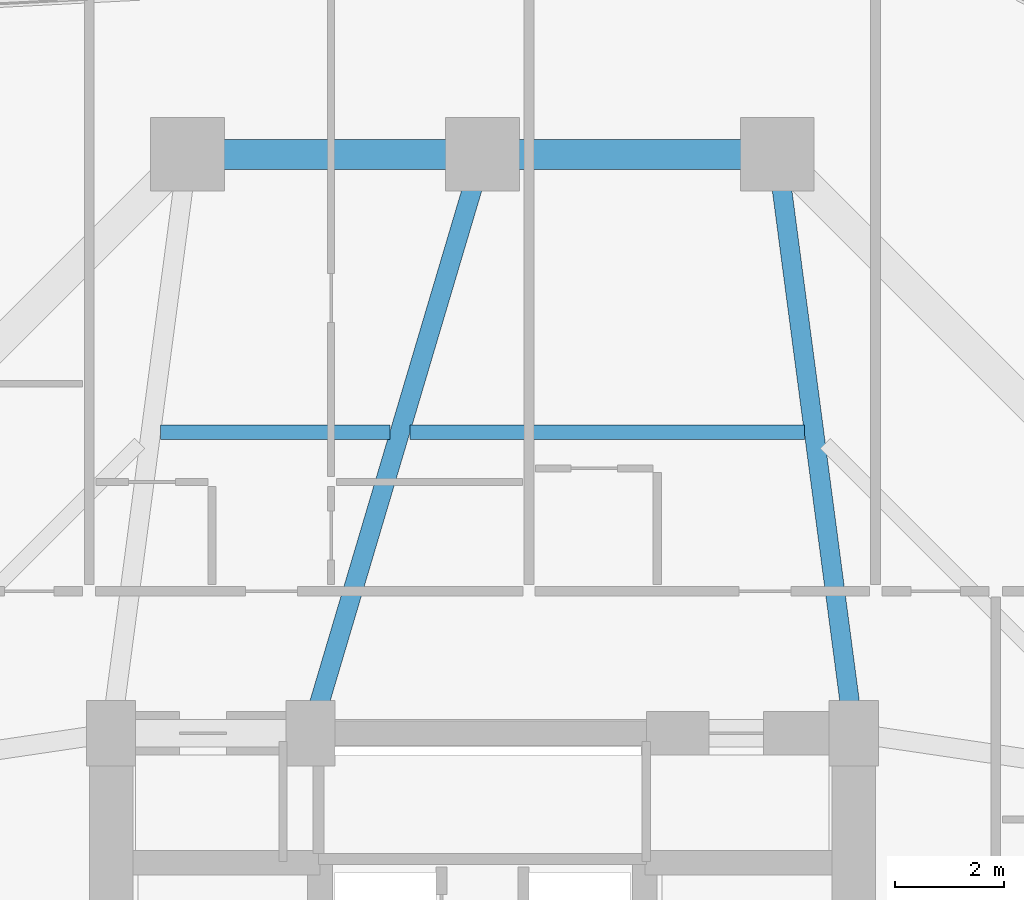
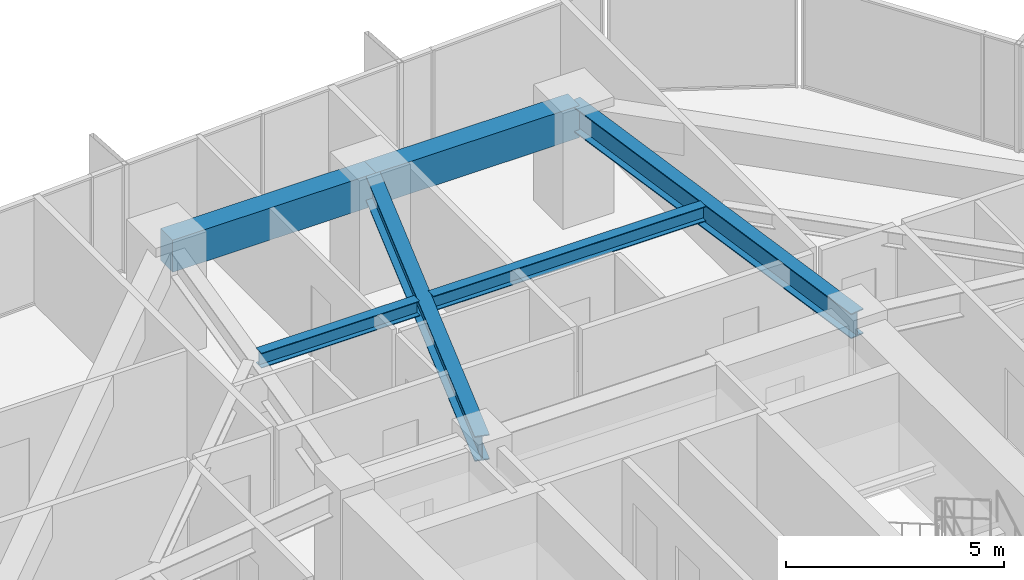
# One storey, part 24 of 37: 6 beams.
"""IFC4 building model written with IfcOpenShell, lengths in metres."""

from ifc_helpers import new_model, si_unit, direction, frame, origin, origin_2d, place, context, subcontext, project, spatial, rectangle, i_section, extrude, material, material_profile, profile_set, type_object, element, save


model = new_model("IFC4")

# Units and contexts
model_context = context("Model", 3, precision=1e-05, world=origin(), true_north=direction((0.0, 1.0)))
body_context = subcontext(model_context, "Body", "Model", "MODEL_VIEW")
ifc_project = project(units=[si_unit("LENGTHUNIT", "METRE"), si_unit("AREAUNIT", "SQUARE_METRE"), si_unit("VOLUMEUNIT", "CUBIC_METRE"), si_unit("PLANEANGLEUNIT", "RADIAN"), si_unit("MASSUNIT", "GRAM", prefix="KILO")], contexts=[model_context])

# Site, building, storey
site_placement = place(None, origin())
site = spatial("IfcSite", under=ifc_project, at=site_placement, CompositionType="ELEMENT")
building_placement = place(site_placement, origin())
building = spatial("IfcBuilding", under=site, at=building_placement, Name="Veraguas Prism Commons", CompositionType="ELEMENT")
storey_placement = place(building_placement, frame((0.0, 0.0, 33.800048828125)))
storey = spatial("IfcBuildingStorey", under=building, at=storey_placement, Name="L08", CompositionType="ELEMENT", Elevation=33.800048828125)

# Beams
ifc_material_1 = material(Name="Steel ASTM A992 Grade 50", Category="steel")
ifc_material_profile_1 = material_profile(ifc_material_1, i_section(OverallWidth=0.260986328125, OverallDepth=0.419921875, WebThickness=0.01171875, FlangeThickness=0.019287109375, at=origin_2d()), Name="W410X114")
ifc_profile_set_1 = profile_set([ifc_material_profile_1], Name="Steel ASTM A992 Grade 50")
beam_type_1 = type_object("IfcBeamType", Name="Lower Floor Joist W410x114", PredefinedType="JOIST", material=ifc_profile_set_1)
beam_1_placement = place(storey_placement, frame((29.89453125, 36.511962890625, 2.7900390625), z_axis=(-1.0, 0.0, 0.0), x_axis=(0.0, -1.0, 0.0)))
element("IfcBeam", 1, at=beam_1_placement, inside=storey, type_object=beam_type_1, Name="Composite Floor Joist L08-JS04", PredefinedType="JOIST", context=body_context, shape_type="SweptSolid", body=[
    extrude(i_section(OverallWidth=0.260986328125, OverallDepth=0.419921875, WebThickness=0.01171875, FlangeThickness=0.019287109375, at=origin_2d()), origin(), (0.0, 0.0, 1.0), 7.222900390625),
])
beam_2_placement = place(storey_placement, frame((22.304443359375, 36.511962890625, 2.7900390625), z_axis=(-1.0, 0.0, 0.0), x_axis=(0.0, -1.0, 0.0)))
element("IfcBeam", 2, at=beam_2_placement, inside=storey, type_object=beam_type_1, Name="Composite Floor Joist L08-JS05", PredefinedType="JOIST", context=body_context, shape_type="SweptSolid", body=[
    extrude(i_section(OverallWidth=0.260986328125, OverallDepth=0.419921875, WebThickness=0.01171875, FlangeThickness=0.019287109375, at=origin_2d()), origin(), (0.0, 0.0, 1.0), 4.198974609375),
])
ifc_material_2 = material(Name="Concrete C50/60", Category="concrete")
ifc_material_profile_2 = material_profile(ifc_material_2, rectangle(XDim=0.550048828125, YDim=0.89990234375, at=origin_2d()), Name="RC550X900")
ifc_profile_set_2 = profile_set([ifc_material_profile_2], Name="Concrete C50/60")
beam_type_2 = type_object("IfcBeamType", Name="Perimeter Spandrel Lower RC 550x900", PredefinedType="SPANDREL", material=ifc_profile_set_2)
for number, where, z_axis, x_axis, name in (
    (3, (29.39990234375, 41.60009765625, 2.550048828125), (-1.0, 0.0, 0.0), (0.0, -1.0, 0.0), "Perimeter Spandrel Beam L08-SP04"),
    (4, (24.0, 41.60009765625, 2.550048828125), (-1.0, 0.0, 0.0), (0.0, -1.0, 0.0), "Perimeter Spandrel Beam L08-SP05"),
):
    element("IfcBeam", number, at=place(storey_placement, frame(where, z_axis=z_axis, x_axis=x_axis)), inside=storey, type_object=beam_type_2, Name=name, PredefinedType="SPANDREL", context=body_context, shape_type="SweptSolid", body=[
        extrude(rectangle(XDim=0.550048828125, YDim=0.89990234375, at=origin_2d()), origin(), (0.0, 0.0, 1.0), 5.39990234375),
    ])
ifc_material_profile_3 = material_profile(ifc_material_1, i_section(OverallWidth=0.35595703125, OverallDepth=0.700927734375, WebThickness=0.016845703125, FlangeThickness=0.02734375, at=origin_2d()), Name="W690X240")
ifc_profile_set_3 = profile_set([ifc_material_profile_3], Name="Steel ASTM A992 Grade 50")
beam_type_3 = type_object("IfcBeamType", Name="Zone 1 Radial Girder W690x240", PredefinedType="BEAM", material=ifc_profile_set_3)
beam_3_placement = place(storey_placement, frame((29.39990234375, 41.60009765625, 2.6494140625), z_axis=(0.130950648891, -0.991388888154, 0.0), x_axis=(0.991388888154, 0.130950648891, 0.0)))
element("IfcBeam", 5, at=beam_3_placement, inside=storey, type_object=beam_type_3, Name="Radial Floor Girder L08-RD04", PredefinedType="BEAM", context=body_context, shape_type="SweptSolid", body=[
    extrude(i_section(OverallWidth=0.35595703125, OverallDepth=0.700927734375, WebThickness=0.016845703125, FlangeThickness=0.02734375, at=origin_2d()), origin(), (0.0, 0.0, 1.0), 10.692138671875),
])
beam_4_placement = place(storey_placement, frame((24.0, 41.60009765625, 2.6494140625), z_axis=(-0.28484745997, -0.958572858237, 0.0), x_axis=(0.958572858237, -0.28484745997, 0.0)))
element("IfcBeam", 6, at=beam_4_placement, inside=storey, type_object=beam_type_3, Name="Radial Floor Girder L08-RD05", PredefinedType="BEAM", context=body_context, shape_type="SweptSolid", body=[
    extrude(i_section(OverallWidth=0.35595703125, OverallDepth=0.700927734375, WebThickness=0.016845703125, FlangeThickness=0.02734375, at=origin_2d()), origin(), (0.0, 0.0, 1.0), 11.05810546875),
])

save(model, "model.ifc")
